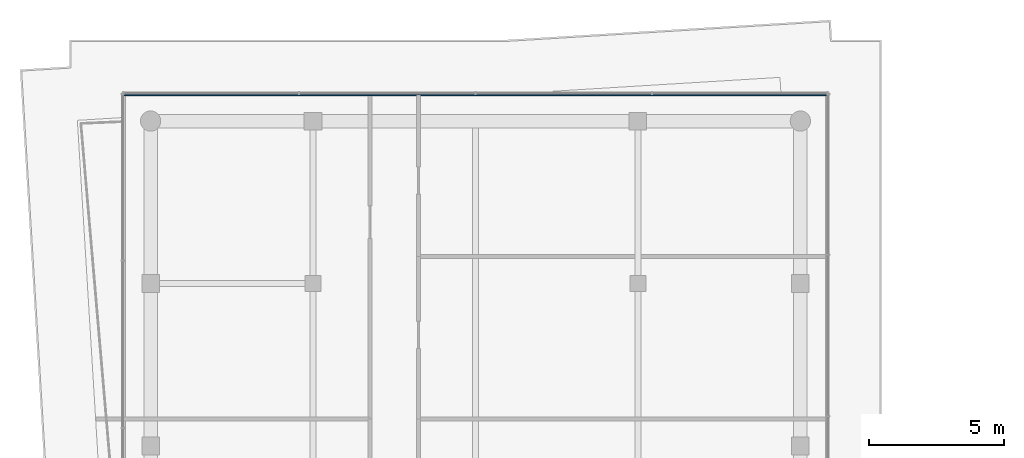
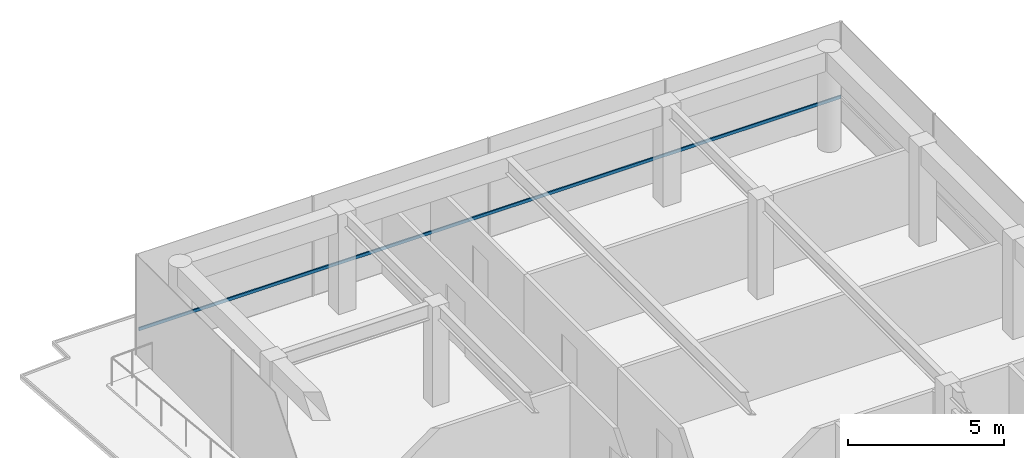
# One storey, part 14 of 22: 1 member, 1 element without a shape of its own.
"""IFC4 building model written with IfcOpenShell, lengths in metres."""

from ifc_helpers import new_model, si_unit, direction, frame, origin, origin_2d, place, context, subcontext, project, spatial, rectangle, extrude, material, layer, layer_set, material_profile, profile_set, type_object, element, aggregate, save


model = new_model("IFC4")

# Units and contexts
model_context = context("Model", 3, precision=1e-05, world=origin(), true_north=direction((0.0, 1.0)))
body_context = subcontext(model_context, "Body", "Model", "MODEL_VIEW")
ifc_project = project(units=[si_unit("LENGTHUNIT", "METRE"), si_unit("AREAUNIT", "SQUARE_METRE"), si_unit("VOLUMEUNIT", "CUBIC_METRE"), si_unit("PLANEANGLEUNIT", "RADIAN"), si_unit("MASSUNIT", "GRAM", prefix="KILO")], contexts=[model_context])

# Site, building, storey
site_placement = place(None, origin())
site = spatial("IfcSite", under=ifc_project, at=site_placement, CompositionType="ELEMENT")
building_placement = place(site_placement, origin())
building = spatial("IfcBuilding", under=site, at=building_placement, Name="Welwitschia Terrace Campus", CompositionType="ELEMENT")
storey_placement = place(building_placement, frame((0.0, 0.0, 318.800048828125)))
storey = spatial("IfcBuildingStorey", under=building, at=storey_placement, Name="L71", CompositionType="ELEMENT", Elevation=318.800048828125)

# Curtain wall, member
ifc_material_1 = material(Name="Bronze anodised aluminium", Category="aluminium")
ifc_layer = layer(ifc_material_1, 0.10009765625)
ifc_layer_set = layer_set([ifc_layer], Name="Bronze anodised aluminium")
curtain_wall_type = type_object("IfcCurtainWallType", Name="Curtain wall CW5 crown 6000", PredefinedType="NOTDEFINED", material=ifc_layer_set)
curtain_wall_placement = place(storey_placement, origin())
curtain_wall = element("IfcCurtainWall", 1, at=curtain_wall_placement, inside=storey, type_object=curtain_wall_type, Name="CW L71.6.0", PredefinedType="NOTDEFINED")
ifc_material_2 = material(Name="Bronze anodised aluminium", Category="aluminium")
ifc_material_profile = material_profile(ifc_material_2, rectangle(XDim=0.050048828125, YDim=0.1201171875, at=origin_2d()))
ifc_profile_set = profile_set([ifc_material_profile], Name="Bronze anodised aluminium")
member_type = type_object("IfcMemberType", Name="Transom 50x120", PredefinedType="USERDEFINED", material=ifc_profile_set)
member_placement = place(storey_placement, frame((24.97998046875, 50.955078125, 1.0), z_axis=(-1.0, 0.0, 0.0), x_axis=(0.0, -1.0, 0.0)))
member = element("IfcMember", 2, at=member_placement, type_object=member_type, Name="Transom L71.6.0", ObjectType="TRANSOM", PredefinedType="USERDEFINED", context=body_context, shape_type="SweptSolid", body=[
    extrude(rectangle(XDim=0.050048828125, YDim=0.1201171875, at=origin_2d()), origin(), (0.0, 0.0, 1.0), 25.9599609375),
])
aggregate(curtain_wall, [member])

save(model, "model.ifc")
